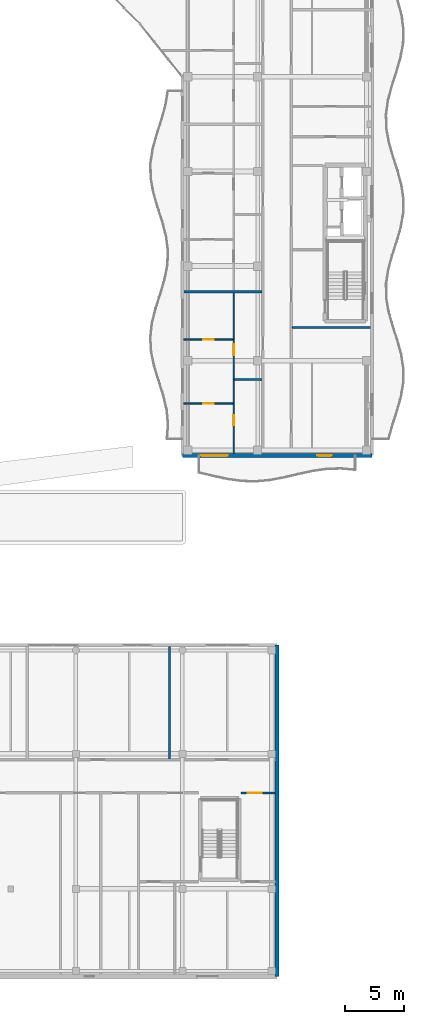
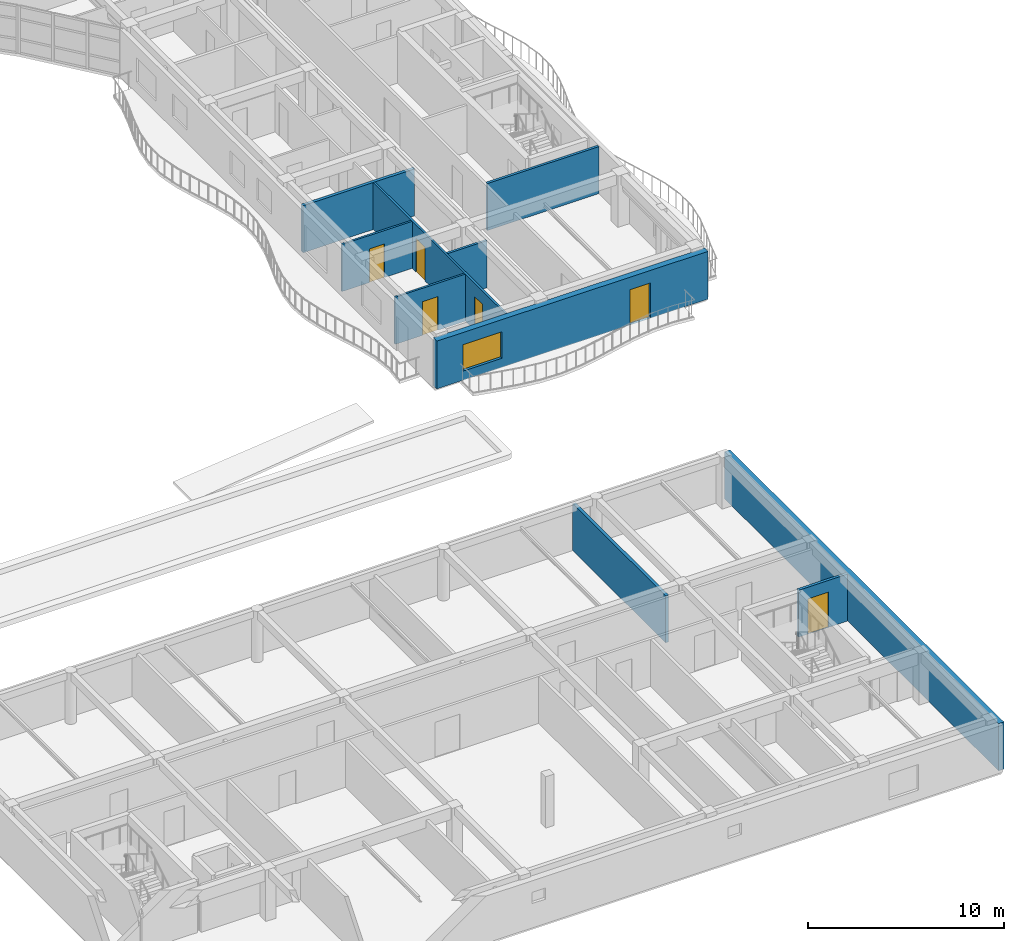
# One storey, part 96 of 128: 10 walls, 6 doors, 1 window, 7 openings.
"""IFC4 building model written with IfcOpenShell, lengths in metres."""

from ifc_helpers import new_model, si_unit, direction, frame, frame_2d, origin, place, context, subcontext, project, spatial, rectangle, extrude, material, layer, layer_set, type_object, element, fill, save


model = new_model("IFC4")

# Units and contexts
model_context = context("Model", 3, precision=1e-05, world=origin(), true_north=direction((0.0, 1.0)))
body_context = subcontext(model_context, "Body", "Model", "MODEL_VIEW")
ifc_project = project(units=[si_unit("LENGTHUNIT", "METRE"), si_unit("AREAUNIT", "SQUARE_METRE"), si_unit("VOLUMEUNIT", "CUBIC_METRE"), si_unit("PLANEANGLEUNIT", "RADIAN"), si_unit("MASSUNIT", "GRAM", prefix="KILO")], contexts=[model_context])

# Site, building, storey
site_placement = place(None, origin())
site = spatial("IfcSite", under=ifc_project, at=site_placement, CompositionType="ELEMENT")
building_placement = place(site_placement, origin())
building = spatial("IfcBuilding", under=site, at=building_placement, Name="Keldmere Railside Commons", CompositionType="ELEMENT")
storey_placement = place(building_placement, frame((0.0, 0.0, 4.159912109375)))
storey = spatial("IfcBuildingStorey", under=building, at=storey_placement, Name="L01", CompositionType="ELEMENT", Elevation=4.159912109375)

# Walls
ifc_material_1 = material(Name="Acoustic Gypsum Board Partition", Category="gypsum")
ifc_layer_1 = layer(ifc_material_1, 0.179931640625, Name="Acoustic Demising Partition 180")
ifc_layer_set_1 = layer_set([ifc_layer_1], Name="Acoustic Gypsum Board Partition")
wall_type_1 = type_object("IfcWallType", Name="Acoustic Demising Partition 180", PredefinedType="PARTITIONING", material=ifc_layer_set_1)
wall_1_placement = place(storey_placement, frame((166.89990234375, 30.3798828125, 0.0), z_axis=(0.0, 0.0, 1.0), x_axis=(0.0, 1.0, 0.0)))
element("IfcWall", 1, at=wall_1_placement, inside=storey, type_object=wall_type_1, Name="IW-1 IW-L01-0155", PredefinedType="PARTITIONING", context=body_context, shape_type="SweptSolid", body=[
    extrude(rectangle(XDim=9.5, YDim=0.179931640625, at=frame_2d((4.75, 0.0))), origin(), (0.0, 0.0, 1.0), 2.93017578125),
])
wall_2_placement = place(storey_placement, frame((168.1298828125, 69.830078125, 0.0), z_axis=(0.0, 0.0, 1.0), x_axis=(1.0, 0.0, 0.0)))
element("IfcWall", 2, at=wall_2_placement, inside=storey, type_object=wall_type_1, Name="IW-1 IW-L01-1430", PredefinedType="PARTITIONING", context=body_context, shape_type="SweptSolid", body=[
    extrude(rectangle(XDim=6.590087890625, YDim=0.179931640625, at=frame_2d((3.294921875, 0.0))), origin(), (0.0, 0.0, 1.0), 2.93505859375),
])

# Wall, openings, doors
ifc_layer_2 = layer(ifc_material_1, 0.1201171875, Name="Apartment Interior Partition 120")
ifc_layer_set_2 = layer_set([ifc_layer_2], Name="Acoustic Gypsum Board Partition")
wall_type_2 = type_object("IfcWallType", Name="Apartment Interior Partition 120", PredefinedType="PARTITIONING", material=ifc_layer_set_2)
wall_3_placement = place(storey_placement, frame((172.340087890625, 56.179931640625, 0.0), z_axis=(0.0, 0.0, 1.0), x_axis=(0.0, 1.0, 0.0)))
wall_3 = element("IfcWall", 3, at=wall_3_placement, inside=storey, type_object=wall_type_2, Name="IW-4 IW-L01-1433", PredefinedType="PARTITIONING", context=body_context, shape_type="SweptSolid", body=[
    extrude(rectangle(XDim=13.56005859375, YDim=0.1201171875, at=frame_2d((6.780029296875, 0.0))), origin(), (0.0, 0.0, 1.0), 2.93505859375),
])
opening_1_placement = place(wall_3_placement, frame((2.37109375, 0.0, 0.0)))
opening_1 = element("IfcOpeningElement", 4, at=opening_1_placement, cuts=wall_3, Name="Opening ID-04", PredefinedType="OPENING", context=body_context, shape_type="SweptSolid", body=[
    extrude(rectangle(XDim=0.860107421875, YDim=2.10009765625, at=frame_2d((0.43017578125, 1.050048828125))), frame((0.0, 0.070068359375, 0.0), z_axis=(0.0, -1.0, 0.0), x_axis=(1.0, 0.0, 0.0)), (0.0, 0.0, 1.0), 0.14013671875),
])
opening_2_placement = place(wall_3_placement, frame((8.28955078125, 0.0, 0.0)))
opening_2 = element("IfcOpeningElement", 5, at=opening_2_placement, cuts=wall_3, Name="Opening ID-03", PredefinedType="OPENING", context=body_context, shape_type="SweptSolid", body=[
    extrude(rectangle(XDim=0.919921875, YDim=2.10009765625, at=frame_2d((0.4599609375, 1.050048828125))), frame((0.0, 0.070068359375, 0.0), z_axis=(0.0, -1.0, 0.0), x_axis=(1.0, 0.0, 0.0)), (0.0, 0.0, 1.0), 0.14013671875),
])
ifc_material_2 = material(Name="Engineered Oak Timber", Category="wood")
door_type_1 = type_object("IfcDoorType", Name="Apartment Bathroom Door 860x2100", OperationType="NOTDEFINED", PredefinedType="DOOR", material=ifc_material_2)
door_1_placement = place(opening_1_placement, origin())
door_1 = element("IfcDoor", 6, at=door_1_placement, inside=storey, type_object=door_type_1, Name="ID-04 IDR-L01-1276", OperationType="SINGLE_SWING_RIGHT", OverallHeight=2.10009765625, OverallWidth=0.860107421875, PredefinedType="DOOR", context=body_context, shape_type="SweptSolid", body=[
    extrude(rectangle(XDim=0.860107421875, YDim=2.10009765625, at=frame_2d((0.43017578125, 1.050048828125))), frame((0.0, 0.02490234375, 0.0), z_axis=(0.0, -1.0, 0.0), x_axis=(1.0, 0.0, 0.0)), (0.0, 0.0, 1.0), 0.050048828125),
])
fill(opening_1, door_1)
door_type_2 = type_object("IfcDoorType", Name="Kitchen Pocket-Frame Swing Door 920x2100", OperationType="NOTDEFINED", PredefinedType="DOOR", material=ifc_material_2)
door_2_placement = place(opening_2_placement, origin())
door_2 = element("IfcDoor", 7, at=door_2_placement, inside=storey, type_object=door_type_2, Name="ID-03 IDR-L01-1277", OperationType="SINGLE_SWING_LEFT", OverallHeight=2.10009765625, OverallWidth=0.919921875, PredefinedType="DOOR", context=body_context, shape_type="SweptSolid", body=[
    extrude(rectangle(XDim=0.919921875, YDim=2.10009765625, at=frame_2d((0.4599609375, 1.050048828125))), frame((0.0, 0.02490234375, 0.0), z_axis=(0.0, -1.0, 0.0), x_axis=(1.0, 0.0, 0.0)), (0.0, 0.0, 1.0), 0.050048828125),
])
fill(opening_2, door_2)

# Wall, opening, door
wall_4_placement = place(storey_placement, frame((168.1298828125, 60.3798828125, 0.0), z_axis=(0.0, 0.0, 1.0), x_axis=(1.0, 0.0, 0.0)))
wall_4 = element("IfcWall", 8, at=wall_4_placement, inside=storey, type_object=wall_type_2, Name="IW-4 IW-L01-1435", PredefinedType="PARTITIONING", context=body_context, shape_type="SweptSolid", body=[
    extrude(rectangle(XDim=4.150146484375, YDim=0.1201171875, at=frame_2d((2.0751953125, 0.0))), origin(), (0.0, 0.0, 1.0), 2.93505859375),
])
opening_3_placement = place(wall_4_placement, frame((1.625, 0.0, 0.0)))
opening_3 = element("IfcOpeningElement", 9, at=opening_3_placement, cuts=wall_4, Name="Opening ID-01", PredefinedType="OPENING", context=body_context, shape_type="SweptSolid", body=[
    extrude(rectangle(XDim=0.89990234375, YDim=2.10009765625, at=frame_2d((0.449951171875, 1.050048828125))), frame((0.0, 0.070068359375, 0.0), z_axis=(0.0, -1.0, 0.0), x_axis=(1.0, 0.0, 0.0)), (0.0, 0.0, 1.0), 0.14013671875),
])
door_type_3 = type_object("IfcDoorType", Name="Primary Bedroom Door 900x2100", OperationType="NOTDEFINED", PredefinedType="DOOR", material=ifc_material_2)
door_3_placement = place(opening_3_placement, origin())
door_3 = element("IfcDoor", 10, at=door_3_placement, inside=storey, type_object=door_type_3, Name="ID-01 IDR-L01-1279", OperationType="SINGLE_SWING_LEFT", OverallHeight=2.10009765625, OverallWidth=0.89990234375, PredefinedType="DOOR", context=body_context, shape_type="SweptSolid", body=[
    extrude(rectangle(XDim=0.89990234375, YDim=2.10009765625, at=frame_2d((0.449951171875, 1.050048828125))), frame((0.0, 0.02490234375, 0.0), z_axis=(0.0, -1.0, 0.0), x_axis=(1.0, 0.0, 0.0)), (0.0, 0.0, 1.0), 0.050048828125),
])
fill(opening_3, door_3)

wall_5_placement = place(storey_placement, frame((168.1298828125, 65.81005859375, 0.0), z_axis=(0.0, 0.0, 1.0), x_axis=(1.0, 0.0, 0.0)))
wall_5 = element("IfcWall", 11, at=wall_5_placement, inside=storey, type_object=wall_type_2, Name="IW-4 IW-L01-1436", PredefinedType="PARTITIONING", context=body_context, shape_type="SweptSolid", body=[
    extrude(rectangle(XDim=4.150146484375, YDim=0.1201171875, at=frame_2d((2.0751953125, 0.0))), origin(), (0.0, 0.0, 1.0), 2.93505859375),
])
opening_4_placement = place(wall_5_placement, frame((1.635009765625, 0.0, 0.0)))
opening_4 = element("IfcOpeningElement", 12, at=opening_4_placement, cuts=wall_5, Name="Opening ID-02", PredefinedType="OPENING", context=body_context, shape_type="SweptSolid", body=[
    extrude(rectangle(XDim=0.8798828125, YDim=2.10009765625, at=frame_2d((0.43994140625, 1.050048828125))), frame((0.0, 0.070068359375, 0.0), z_axis=(0.0, -1.0, 0.0), x_axis=(1.0, 0.0, 0.0)), (0.0, 0.0, 1.0), 0.14013671875),
])
door_type_4 = type_object("IfcDoorType", Name="Secondary Bedroom Door 880x2100", OperationType="NOTDEFINED", PredefinedType="DOOR", material=ifc_material_2)
door_4_placement = place(opening_4_placement, origin())
door_4 = element("IfcDoor", 13, at=door_4_placement, inside=storey, type_object=door_type_4, Name="ID-02 IDR-L01-1280", OperationType="SINGLE_SWING_RIGHT", OverallHeight=2.10009765625, OverallWidth=0.8798828125, PredefinedType="DOOR", context=body_context, shape_type="SweptSolid", body=[
    extrude(rectangle(XDim=0.8798828125, YDim=2.10009765625, at=frame_2d((0.43994140625, 1.050048828125))), frame((0.0, 0.02490234375, 0.0), z_axis=(0.0, -1.0, 0.0), x_axis=(1.0, 0.0, 0.0)), (0.0, 0.0, 1.0), 0.050048828125),
])
fill(opening_4, door_4)

ifc_layer_3 = layer(ifc_material_1, 0.159912109375, Name="Corridor Fire Partition 160")
ifc_layer_set_3 = layer_set([ifc_layer_3], Name="Acoustic Gypsum Board Partition")
wall_type_3 = type_object("IfcWallType", Name="Corridor Fire Partition 160", PredefinedType="PARTITIONING", material=ifc_layer_set_3)
wall_6_placement = place(storey_placement, frame((172.949951171875, 27.5, 0.0), z_axis=(0.0, 0.0, 1.0), x_axis=(1.0, 0.0, 0.0)))
wall_6 = element("IfcWall", 14, at=wall_6_placement, inside=storey, type_object=wall_type_3, Name="IW-2 IW-L01-0149", PredefinedType="PARTITIONING", context=body_context, shape_type="SweptSolid", body=[
    extrude(rectangle(XDim=2.89013671875, YDim=0.159912109375, at=frame_2d((1.445068359375, 0.0))), origin(), (0.0, 0.0, 1.0), 2.93017578125),
])
opening_5_placement = place(wall_6_placement, frame((0.550048828125, 0.0, 0.0)))
opening_5 = element("IfcOpeningElement", 15, at=opening_5_placement, cuts=wall_6, Name="Opening FD-10", PredefinedType="OPENING", context=body_context, shape_type="SweptSolid", body=[
    extrude(rectangle(XDim=1.199951171875, YDim=2.199951171875, at=frame_2d((0.60009765625, 1.10009765625))), frame((0.0, 0.08984375, 0.0), z_axis=(0.0, -1.0, 0.0), x_axis=(1.0, 0.0, 0.0)), (0.0, 0.0, 1.0), 0.179931640625),
])
ifc_material_3 = material(Name="Steel F-24 (S235)", Category="steel")
door_type_5 = type_object("IfcDoorType", Name="Civic Core Fire Door 1200x2200", OperationType="NOTDEFINED", PredefinedType="DOOR", material=ifc_material_3)
door_5_placement = place(opening_5_placement, origin())
door_5 = element("IfcDoor", 16, at=door_5_placement, inside=storey, type_object=door_type_5, Name="FD-10 IDR-L01-0073", OperationType="SINGLE_SWING_LEFT", OverallHeight=2.199951171875, OverallWidth=1.199951171875, PredefinedType="DOOR", context=body_context, shape_type="SweptSolid", body=[
    extrude(rectangle(XDim=1.199951171875, YDim=2.199951171875, at=frame_2d((0.60009765625, 1.10009765625))), frame((0.0, 0.02490234375, 0.0), z_axis=(0.0, -1.0, 0.0), x_axis=(1.0, 0.0, 0.0)), (0.0, 0.0, 1.0), 0.050048828125),
])
fill(opening_5, door_5)

# Wall
ifc_material_4 = material(Name="Concrete H-35 (C35/45)", Category="concrete")
ifc_layer_4 = layer(ifc_material_4, 0.320068359375, Name="Exterior Shear Wall 320")
ifc_layer_set_4 = layer_set([ifc_layer_4], Name="Concrete H-35 (C35/45)")
wall_type_4 = type_object("IfcWallType", Name="Exterior Shear Wall 320", PredefinedType="SHEAR", material=ifc_layer_set_4)
wall_7_placement = place(storey_placement, frame((176.0, 40.0, 0.0), z_axis=(0.0, 0.0, 1.0), x_axis=(0.0, -1.0, 0.0)))
element("IfcWall", 17, at=wall_7_placement, inside=storey, type_object=wall_type_4, Name="ESW-2 ARCE-L01-1016", PredefinedType="SHEAR", context=body_context, shape_type="SweptSolid", body=[
    extrude(rectangle(XDim=28.0, YDim=0.320068359375, at=frame_2d((14.0, 0.0))), origin(), (0.0, 0.0, 1.0), 2.940185546875),
])

# Wall, openings, door, window
ifc_layer_5 = layer(ifc_material_4, 0.360107421875, Name="Exterior Shear Wall 360")
ifc_layer_set_5 = layer_set([ifc_layer_5], Name="Concrete H-35 (C35/45)")
wall_type_5 = type_object("IfcWallType", Name="Exterior Shear Wall 360", PredefinedType="SHEAR", material=ifc_layer_set_5)
wall_8_placement = place(storey_placement, frame((184.0, 56.0, 0.0), z_axis=(0.0, 0.0, 1.0), x_axis=(-1.0, 0.0, 0.0)))
wall_8 = element("IfcWall", 18, at=wall_8_placement, inside=storey, type_object=wall_type_5, Name="ESW-1 EXTA-L01-0882", PredefinedType="SHEAR", context=body_context, shape_type="SweptSolid", body=[
    extrude(rectangle(XDim=16.0, YDim=0.360107421875, at=frame_2d((8.0, 0.0))), origin(), (0.0, 0.0, 1.0), 2.97998046875),
])
opening_6_placement = place(wall_8_placement, frame((3.39990234375, 0.0, 0.0)))
opening_6 = element("IfcOpeningElement", 19, at=opening_6_placement, cuts=wall_8, Name="Opening BD-01", PredefinedType="OPENING", context=body_context, shape_type="SweptSolid", body=[
    extrude(rectangle(XDim=1.199951171875, YDim=2.199951171875, at=frame_2d((0.60009765625, 1.10009765625))), frame((0.0, 0.18994140625, 0.0), z_axis=(0.0, -1.0, 0.0), x_axis=(1.0, 0.0, 0.0)), (0.0, 0.0, 1.0), 0.380126953125),
])
opening_7_placement = place(wall_8_placement, frame((12.14990234375, 0.0, 0.570068359375)))
opening_7 = element("IfcOpeningElement", 20, at=opening_7_placement, cuts=wall_8, Name="Opening WN-23", PredefinedType="OPENING", context=body_context, shape_type="SweptSolid", body=[
    extrude(rectangle(XDim=2.300048828125, YDim=1.64990234375, at=frame_2d((1.14990234375, 0.824951171875))), frame((0.0, 0.18994140625, 0.0), z_axis=(0.0, -1.0, 0.0), x_axis=(1.0, 0.0, 0.0)), (0.0, 0.0, 1.0), 0.380126953125),
])
ifc_material_5 = material(Name="Thermally Broken Aluminium", Category="aluminium")
door_type_6 = type_object("IfcDoorType", Name="Apartment Living Wave-Balcony Glazed Door 1200x2200", OperationType="NOTDEFINED", PredefinedType="DOOR", material=ifc_material_5)
door_6_placement = place(opening_6_placement, origin())
door_6 = element("IfcDoor", 21, at=door_6_placement, inside=storey, type_object=door_type_6, Name="BD-01 DR-L01-0220", OperationType="SINGLE_SWING_RIGHT", OverallHeight=2.199951171875, OverallWidth=1.199951171875, PredefinedType="DOOR", context=body_context, shape_type="SweptSolid", body=[
    extrude(rectangle(XDim=1.199951171875, YDim=2.199951171875, at=frame_2d((0.60009765625, 1.10009765625))), frame((0.0, 0.02490234375, 0.0), z_axis=(0.0, -1.0, 0.0), x_axis=(1.0, 0.0, 0.0)), (0.0, 0.0, 1.0), 0.050048828125),
])
fill(opening_6, door_6)
ifc_material_6 = material(Name="Low-E Insulated Double Glazing", Category="glass")
window_type = type_object("IfcWindowType", Name="Setback Terrace Penthouse Window 2300x1650", PartitioningType="SINGLE_PANEL", PredefinedType="WINDOW", material=ifc_material_6)
window_placement = place(opening_7_placement, origin())
window = element("IfcWindow", 22, at=window_placement, inside=storey, type_object=window_type, Name="WN-23 WIN-L01-0585", OverallHeight=1.64990234375, OverallWidth=2.300048828125, PartitioningType="SINGLE_PANEL", PredefinedType="WINDOW", context=body_context, shape_type="SweptSolid", body=[
    extrude(rectangle(XDim=2.300048828125, YDim=1.64990234375, at=frame_2d((1.14990234375, 0.824951171875))), frame((0.0, 0.030029296875, 0.0), z_axis=(0.0, -1.0, 0.0), x_axis=(1.0, 0.0, 0.0)), (0.0, 0.0, 1.0), 0.06005859375),
])
fill(opening_7, window)

# Walls
ifc_layer_6 = layer(ifc_material_1, 0.14990234375, Name="Lobby Rated Partition 150")
ifc_layer_set_6 = layer_set([ifc_layer_6], Name="Acoustic Gypsum Board Partition")
wall_type_6 = type_object("IfcWallType", Name="Lobby Rated Partition 150", PredefinedType="PARTITIONING", material=ifc_layer_set_6)
wall_9_placement = place(storey_placement, frame((177.280029296875, 66.820068359375, 0.0), z_axis=(0.0, 0.0, 1.0), x_axis=(1.0, 0.0, 0.0)))
element("IfcWall", 23, at=wall_9_placement, inside=storey, type_object=wall_type_6, Name="IW-3 IW-L01-1419", PredefinedType="PARTITIONING", context=body_context, shape_type="SweptSolid", body=[
    extrude(rectangle(XDim=6.590087890625, YDim=0.14990234375, at=frame_2d((3.294921875, 0.0))), origin(), (0.0, 0.0, 1.0), 2.93505859375),
])
ifc_layer_7 = layer(ifc_material_1, 0.139892578125, Name="Wet-Room Sanitary Partition 140")
ifc_layer_set_7 = layer_set([ifc_layer_7], Name="Acoustic Gypsum Board Partition")
wall_type_7 = type_object("IfcWallType", Name="Wet-Room Sanitary Partition 140", PredefinedType="PARTITIONING", material=ifc_layer_set_7)
wall_10_placement = place(storey_placement, frame((172.39990234375, 62.419921875, 0.0), z_axis=(0.0, 0.0, 1.0), x_axis=(1.0, 0.0, 0.0)))
element("IfcWall", 24, at=wall_10_placement, inside=storey, type_object=wall_type_7, Name="IW-5 IW-L01-1434", PredefinedType="PARTITIONING", context=body_context, shape_type="SweptSolid", body=[
    extrude(rectangle(XDim=2.320068359375, YDim=0.139892578125, at=frame_2d((1.16015625, 0.0))), origin(), (0.0, 0.0, 1.0), 2.93505859375),
])

save(model, "model.ifc")
